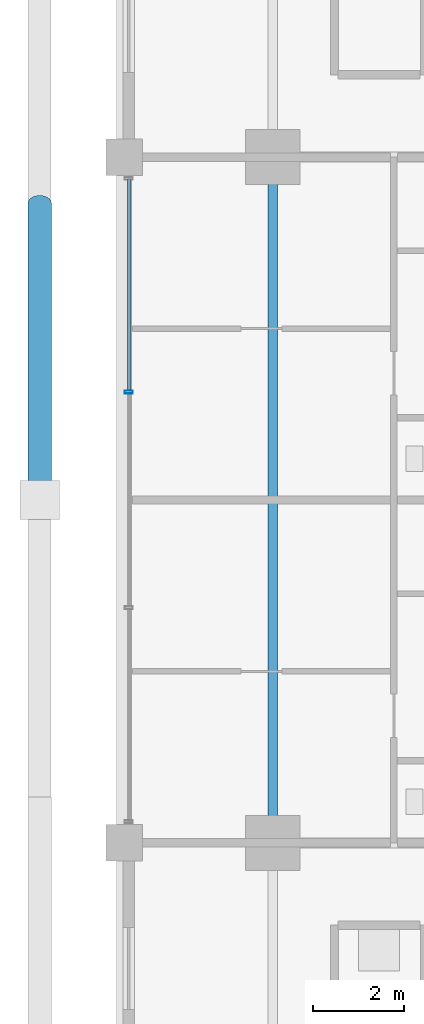
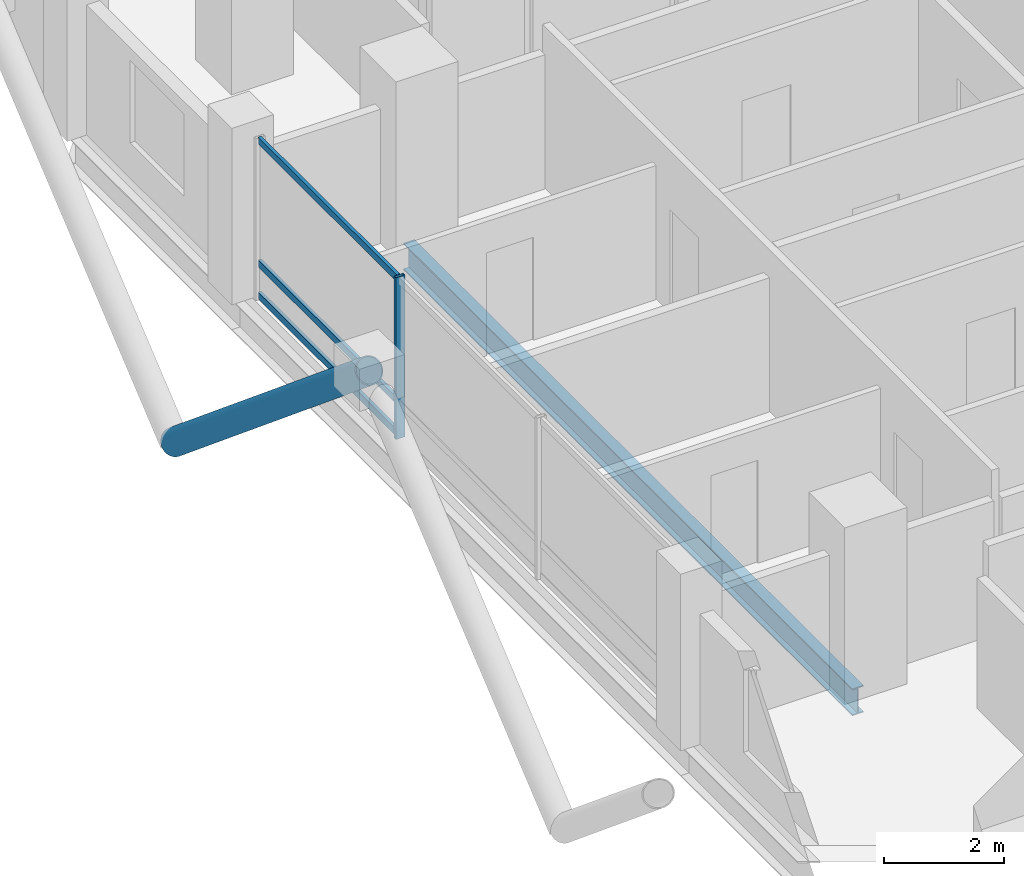
# One storey, part 6 of 23: 5 members, 1 beam, 1 element without a shape of its own.
"""IFC4 building model written with IfcOpenShell, lengths in metres."""

from ifc_helpers import new_model, si_unit, direction, frame, origin, origin_2d, place, context, subcontext, project, spatial, hollow_rectangle, hollow_circle, i_section, extrude, material, layer, layer_set, material_profile, profile_set, type_object, element, aggregate, save


model = new_model("IFC4")

# Units and contexts
model_context = context("Model", 3, precision=1e-05, world=origin(), true_north=direction((0.0, 1.0)))
body_context = subcontext(model_context, "Body", "Model", "MODEL_VIEW")
ifc_project = project(units=[si_unit("LENGTHUNIT", "METRE"), si_unit("AREAUNIT", "SQUARE_METRE"), si_unit("VOLUMEUNIT", "CUBIC_METRE"), si_unit("PLANEANGLEUNIT", "RADIAN"), si_unit("MASSUNIT", "GRAM", prefix="KILO")], contexts=[model_context])

# Site, building, storey
site_placement = place(None, origin())
site = spatial("IfcSite", under=ifc_project, at=site_placement, CompositionType="ELEMENT")
building_placement = place(site_placement, origin())
building = spatial("IfcBuilding", under=site, at=building_placement, Name="Barlavira Tower and Art Museum", CompositionType="ELEMENT")
storey_placement = place(building_placement, frame((0.0, 0.0, 117.0)))
storey = spatial("IfcBuildingStorey", under=building, at=storey_placement, Name="L29", CompositionType="ELEMENT", Elevation=117.0)

# Curtain wall, members
ifc_material_1 = material(Name="Low-iron coastal laminated glass", Category="glass")
ifc_layer = layer(ifc_material_1, 0.18994140625, Name="Low-iron coastal laminated glass")
ifc_layer_set = layer_set([ifc_layer], Name="Low-iron coastal laminated glass")
curtain_wall_type = type_object("IfcCurtainWallType", Name="Pale-Metal Unitised Curtain Wall Zone 2", PredefinedType="NOTDEFINED", material=ifc_layer_set)
curtain_wall_placement = place(storey_placement, origin())
curtain_wall = element("IfcCurtainWall", 1, at=curtain_wall_placement, inside=storey, type_object=curtain_wall_type, Name="L29 Curtain Wall CW2-L29-W-B3", PredefinedType="NOTDEFINED")
ifc_material_2 = material(Name="Pale anodised aluminium", Category="aluminium")
ifc_material_profile_1 = material_profile(ifc_material_2, hollow_rectangle(XDim=0.06494140625, YDim=0.179931640625, WallThickness=0.00390625, at=origin_2d()), Name="ALU-MULL 65x180x4")
ifc_profile_set_1 = profile_set([ifc_material_profile_1], Name="Pale anodised aluminium")
member_type_1 = type_object("IfcMemberType", Name="Curtain Wall Pale-Metal Mullion 65x180", PredefinedType="MULLION", material=ifc_profile_set_1)
member_1_placement = place(storey_placement, frame((-20.14990234375, 2.360107421875, 0.0), z_axis=(0.0, 0.0, 1.0), x_axis=(0.0, -1.0, 0.0)))
member_1 = element("IfcMember", 2, at=member_1_placement, type_object=member_type_1, Name="CW2-L29-W-B3 Mullion 1", PredefinedType="MULLION", context=body_context, shape_type="SweptSolid", body=[
    extrude(hollow_rectangle(XDim=0.06494140625, YDim=0.179931640625, WallThickness=0.00390625, at=origin_2d()), origin(), (0.0, 0.0, 1.0), 3.300048828125),
])
ifc_material_profile_2 = material_profile(ifc_material_2, hollow_rectangle(XDim=0.06494140625, YDim=0.139892578125, WallThickness=0.00390625, at=origin_2d()), Name="ALU-TRAN 65x140x4")
ifc_profile_set_2 = profile_set([ifc_material_profile_2], Name="Pale anodised aluminium")
member_type_2 = type_object("IfcMemberType", Name="Curtain Wall Pale-Metal Transom 65x140", PredefinedType="USERDEFINED", material=ifc_profile_set_2)
member_2_placement = place(storey_placement, frame((-20.14990234375, 7.034912109375, 0.070068359375), z_axis=(0.0, -1.0, 0.0), x_axis=(1.0, 0.0, 0.0)))
member_2 = element("IfcMember", 3, at=member_2_placement, type_object=member_type_2, Name="CW2-L29-W-B3 Transom 0.1", ObjectType="TRANSOM", PredefinedType="USERDEFINED", context=body_context, shape_type="SweptSolid", body=[
    extrude(hollow_rectangle(XDim=0.06494140625, YDim=0.139892578125, WallThickness=0.00390625, at=origin_2d()), origin(), (0.0, 0.0, 1.0), 4.6298828125),
])
member_3_placement = place(storey_placement, frame((-20.14990234375, 7.034912109375, 0.72607421875), z_axis=(0.0, -1.0, 0.0), x_axis=(1.0, 0.0, 0.0)))
member_3 = element("IfcMember", 4, at=member_3_placement, type_object=member_type_2, Name="CW2-L29-W-B3 Transom 0.2", ObjectType="TRANSOM", PredefinedType="USERDEFINED", context=body_context, shape_type="SweptSolid", body=[
    extrude(hollow_rectangle(XDim=0.06494140625, YDim=0.139892578125, WallThickness=0.00390625, at=origin_2d()), origin(), (0.0, 0.0, 1.0), 4.6298828125),
])
member_4_placement = place(storey_placement, frame((-20.14990234375, 7.034912109375, 3.22998046875), z_axis=(0.0, -1.0, 0.0), x_axis=(1.0, 0.0, 0.0)))
member_4 = element("IfcMember", 5, at=member_4_placement, type_object=member_type_2, Name="CW2-L29-W-B3 Transom 0.3", ObjectType="TRANSOM", PredefinedType="USERDEFINED", context=body_context, shape_type="SweptSolid", body=[
    extrude(hollow_rectangle(XDim=0.06494140625, YDim=0.139892578125, WallThickness=0.00390625, at=origin_2d()), origin(), (0.0, 0.0, 1.0), 4.6298828125),
])
aggregate(curtain_wall, [member_1, member_2, member_3, member_4])

# Member
ifc_material_3 = material(Name="Steel S355", Category="steel")
ifc_material_profile_3 = material_profile(ifc_material_3, hollow_circle(Radius=0.25390625, WallThickness=0.022216796875, at=origin_2d()), Name="CHS 508.0x22.2")
ifc_profile_set_3 = profile_set([ifc_material_profile_3], Name="Steel S355")
member_type_3 = type_object("IfcMemberType", Name="Pale-Metal Exoskeleton Diagrid Tube CHS 508x22 Steel S355", PredefinedType="BRACE", material=ifc_profile_set_3)
member_5_placement = place(storey_placement, frame((-22.10009765625, 6.5, -1.919921875), z_axis=(0.0, -0.769196053329, 0.639012857104), x_axis=(1.0, 0.0, 0.0)))
element("IfcMember", 6, at=member_5_placement, inside=storey, type_object=member_type_3, Name="L29 Exoskeleton Diagrid Tube W", PredefinedType="BRACE", context=body_context, shape_type="SweptSolid", body=[
    extrude(hollow_circle(Radius=0.25390625, WallThickness=0.022216796875, at=origin_2d()), origin(), (0.0, 0.0, 1.0), 8.450439453125),
])

# Beam
ifc_material_profile_4 = material_profile(ifc_material_3, i_section(OverallWidth=0.214111328125, OverallDepth=0.549072265625, WebThickness=0.0146484375, FlangeThickness=0.023681640625, at=origin_2d()), Name="W530x138.0")
ifc_profile_set_4 = profile_set([ifc_material_profile_4], Name="Steel S355")
beam_type = type_object("IfcBeamType", Name="Zone 1 Primary Floor Girder W530x138 Steel S355", PredefinedType="BEAM", material=ifc_profile_set_4)
beam_placement = place(storey_placement, frame((-17.0, -7.5, -0.494384765625), z_axis=(0.0, 1.0, 0.0), x_axis=(-1.0, 0.0, 0.0)))
element("IfcBeam", 7, at=beam_placement, inside=storey, type_object=beam_type, Name="L29 Girder M-W2", PredefinedType="BEAM", context=body_context, shape_type="SweptSolid", body=[
    extrude(i_section(OverallWidth=0.214111328125, OverallDepth=0.549072265625, WebThickness=0.0146484375, FlangeThickness=0.023681640625, at=origin_2d()), origin(), (0.0, 0.0, 1.0), 15.0),
])

save(model, "model.ifc")
